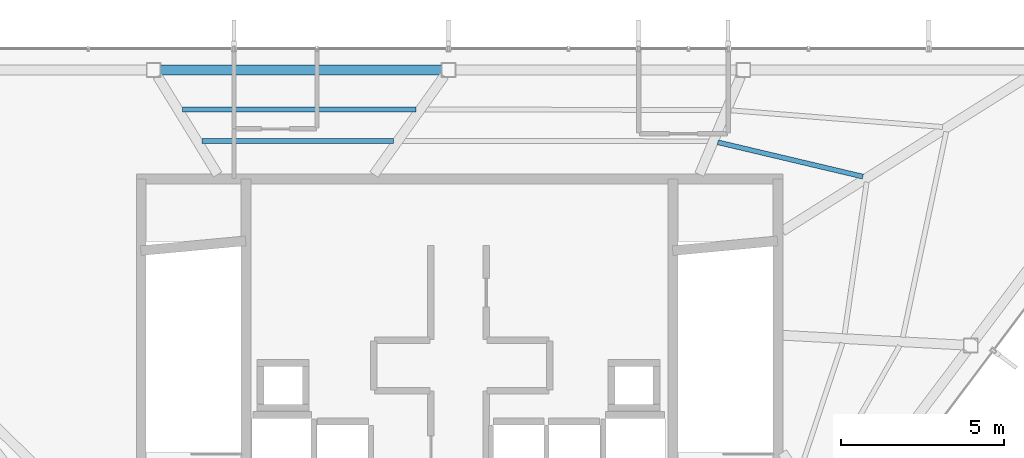
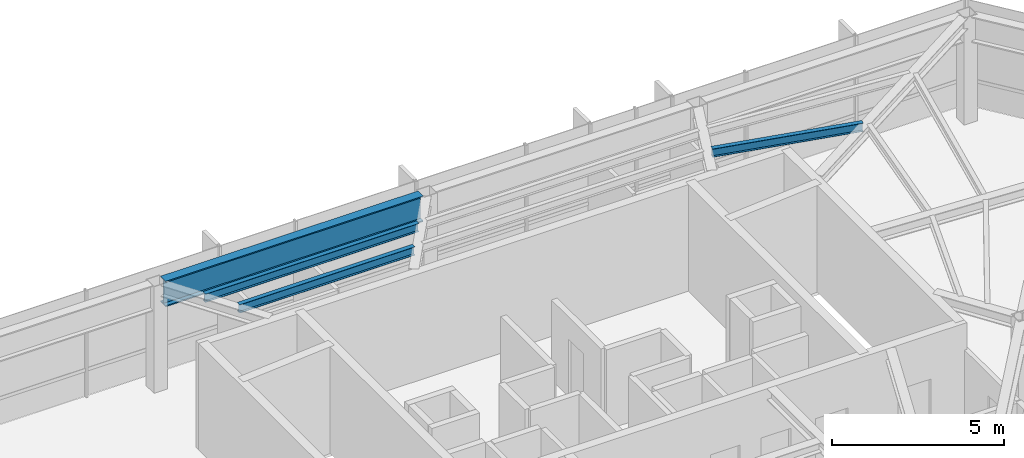
# One storey, part 10 of 21: 4 beams.
"""IFC4 building model written with IfcOpenShell, lengths in metres."""

from ifc_helpers import new_model, si_unit, direction, frame, origin, origin_2d, place, context, subcontext, project, spatial, i_section, extrude, material, material_profile, profile_set, type_object, element, save


model = new_model("IFC4")

# Units and contexts
model_context = context("Model", 3, precision=1e-05, world=origin(), true_north=direction((0.0, 1.0)))
body_context = subcontext(model_context, "Body", "Model", "MODEL_VIEW")
ifc_project = project(units=[si_unit("LENGTHUNIT", "METRE"), si_unit("AREAUNIT", "SQUARE_METRE"), si_unit("VOLUMEUNIT", "CUBIC_METRE"), si_unit("PLANEANGLEUNIT", "RADIAN"), si_unit("MASSUNIT", "GRAM", prefix="KILO")], contexts=[model_context])

# Site, building, storey
site_placement = place(None, origin())
site = spatial("IfcSite", under=ifc_project, at=site_placement, CompositionType="ELEMENT")
building_placement = place(site_placement, origin())
building = spatial("IfcBuilding", under=site, at=building_placement, Name="Zarrinselat Tower", CompositionType="ELEMENT")
storey_placement = place(building_placement, frame((0.0, 0.0, 299.199951171875)))
storey = spatial("IfcBuildingStorey", under=building, at=storey_placement, Name="L77", CompositionType="ELEMENT", Elevation=299.199951171875)

# Beams
ifc_material_1 = material(Name="Steel S460M", Category="steel")
ifc_material_profile_1 = material_profile(ifc_material_1, i_section(OverallWidth=0.302001953125, OverallDepth=0.909912109375, WebThickness=0.02099609375, FlangeThickness=0.0400390625, at=origin_2d()), Name="HEM 900")
ifc_profile_set_1 = profile_set([ifc_material_profile_1], Name="Steel S460M")
beam_type_1 = type_object("IfcBeamType", Name="BM-HEM900", PredefinedType="BEAM", material=ifc_profile_set_1)
beam_1_placement = place(storey_placement, frame((29.2451171875, 46.75, 3.324951171875), z_axis=(1.0, 0.0, 0.0), x_axis=(0.0, 1.0, 0.0)))
element("IfcBeam", 1, at=beam_1_placement, inside=storey, type_object=beam_type_1, Name="L77 Perimeter Spandrel Girder SP03", PredefinedType="BEAM", context=body_context, shape_type="SweptSolid", body=[
    extrude(i_section(OverallWidth=0.302001953125, OverallDepth=0.909912109375, WebThickness=0.02099609375, FlangeThickness=0.0400390625, at=origin_2d()), origin(), (0.0, 0.0, 1.0), 8.63330078125),
])
ifc_material_2 = material(Name="Steel S355J2", Category="steel")
ifc_material_profile_2 = material_profile(ifc_material_2, i_section(OverallWidth=0.14990234375, OverallDepth=0.300048828125, WebThickness=0.007080078125, FlangeThickness=0.0107421875, at=origin_2d()), Name="IPE 300")
ifc_profile_set_2 = profile_set([ifc_material_profile_2], Name="Steel S355J2")
beam_type_2 = type_object("IfcBeamType", Name="BM-IPE300", PredefinedType="JOIST", material=ifc_profile_set_2)
beam_2_placement = place(storey_placement, frame((46.365478515625, 44.528076171875, 3.630126953125), z_axis=(0.973141621315, -0.230207265013, 0.0), x_axis=(0.230207265013, 0.973141621315, 0.0)))
element("IfcBeam", 2, at=beam_2_placement, inside=storey, type_object=beam_type_2, Name="L77 Composite Floor Joist 6-2", PredefinedType="JOIST", context=body_context, shape_type="SweptSolid", body=[
    extrude(i_section(OverallWidth=0.14990234375, OverallDepth=0.300048828125, WebThickness=0.007080078125, FlangeThickness=0.0107421875, at=origin_2d()), origin(), (0.0, 0.0, 1.0), 4.578369140625),
])
beam_3_placement = place(storey_placement, frame((29.91943359375, 45.531005859375, 3.630126953125), z_axis=(0.999999692971, 0.000783618716, 0.0), x_axis=(-0.000783618716, 0.999999692971, 0.0)))
element("IfcBeam", 3, at=beam_3_placement, inside=storey, type_object=beam_type_2, Name="L77 Composite Floor Joist 8-1", PredefinedType="JOIST", context=body_context, shape_type="SweptSolid", body=[
    extrude(i_section(OverallWidth=0.14990234375, OverallDepth=0.300048828125, WebThickness=0.007080078125, FlangeThickness=0.0107421875, at=origin_2d()), origin(), (0.0, 0.0, 1.0), 7.165771484375),
])
beam_4_placement = place(storey_placement, frame((30.51123046875, 44.565673828125, 3.630126953125), z_axis=(0.999999876004, 0.00049798724, 0.0), x_axis=(-0.00049798724, 0.999999876004, 0.0)))
element("IfcBeam", 4, at=beam_4_placement, inside=storey, type_object=beam_type_2, Name="L77 Composite Floor Joist 8-2", PredefinedType="JOIST", context=body_context, shape_type="SweptSolid", body=[
    extrude(i_section(OverallWidth=0.14990234375, OverallDepth=0.300048828125, WebThickness=0.007080078125, FlangeThickness=0.0107421875, at=origin_2d()), origin(), (0.0, 0.0, 1.0), 5.883056640625),
])

save(model, "model.ifc")
